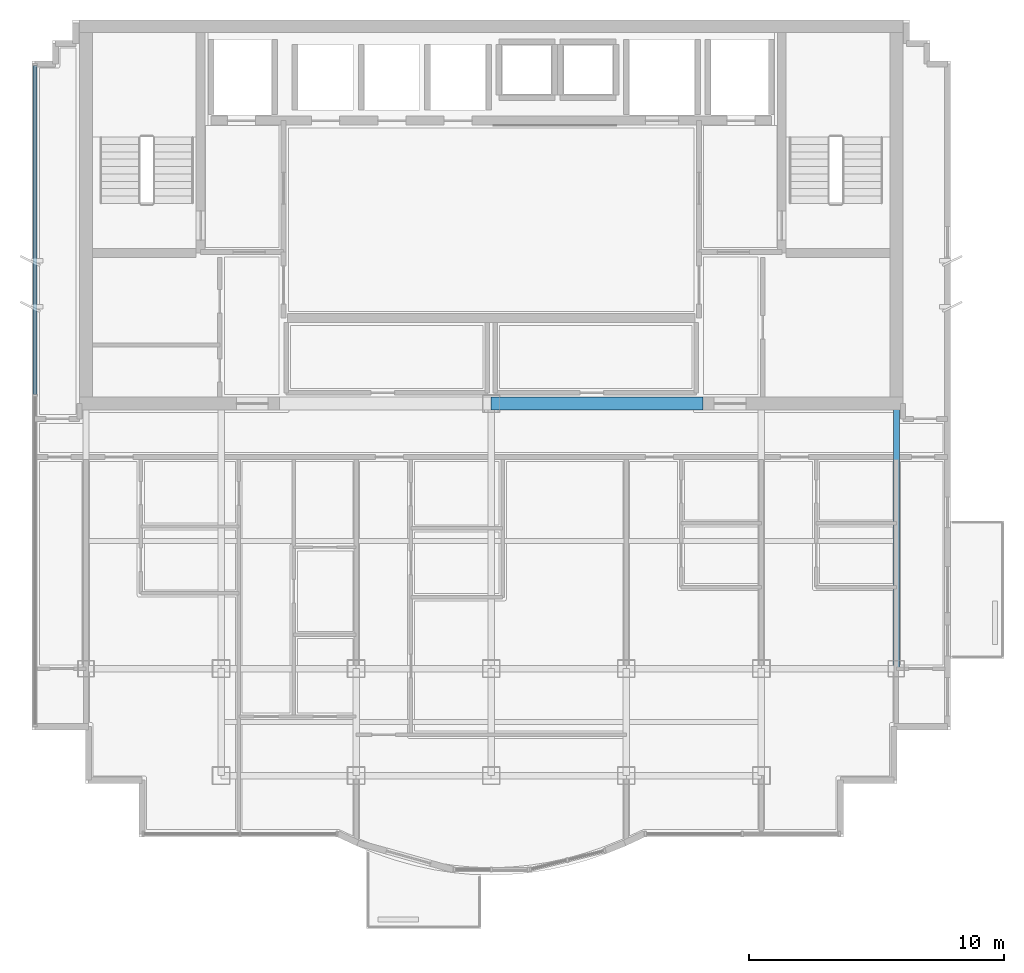
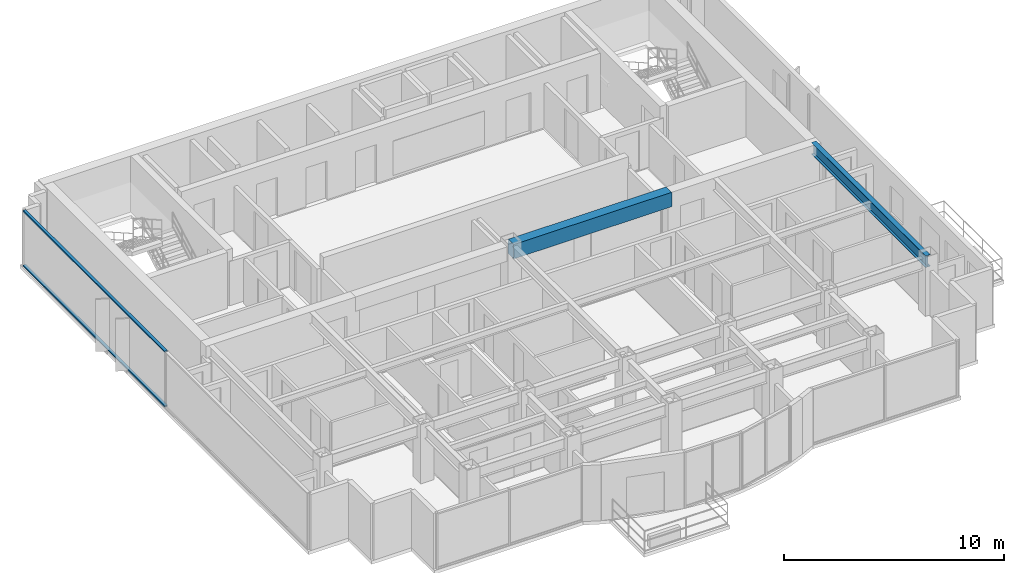
# One storey, part 2 of 9: 2 beams, 2 members, 1 element without a shape of its own.
"""IFC4 building model written with IfcOpenShell, lengths in metres."""

from ifc_helpers import new_model, si_unit, direction, frame, origin, origin_2d, place, context, subcontext, project, spatial, rectangle, i_section, extrude, source, transform, mapped, material, layer, layer_set, material_profile, profile_set, type_object, element, aggregate, save


model = new_model("IFC4")

# Units and contexts
model_context = context("Model", 3, precision=1e-05, world=origin(), true_north=direction((0.0, 1.0)))
body_context = subcontext(model_context, "Body", "Model", "MODEL_VIEW")
ifc_project = project(units=[si_unit("LENGTHUNIT", "METRE"), si_unit("AREAUNIT", "SQUARE_METRE"), si_unit("VOLUMEUNIT", "CUBIC_METRE"), si_unit("PLANEANGLEUNIT", "RADIAN"), si_unit("MASSUNIT", "GRAM", prefix="KILO")], contexts=[model_context])

# Site, building, storey
site_placement = place(None, origin())
site = spatial("IfcSite", under=ifc_project, at=site_placement, CompositionType="ELEMENT")
building_placement = place(site_placement, origin())
building = spatial("IfcBuilding", under=site, at=building_placement, Name="Qianlan Lanfeng Residences", CompositionType="ELEMENT")
storey_placement = place(building_placement, frame((0.0, 0.0, 242.89990234375)))
storey = spatial("IfcBuildingStorey", under=building, at=storey_placement, Name="L67", CompositionType="ELEMENT", Elevation=242.89990234375)

# Beams
ifc_material_1 = material(Name="Steel SN490B", Category="steel")
ifc_material_profile_1 = material_profile(ifc_material_1, i_section(OverallWidth=0.25, OverallDepth=0.64990234375, WebThickness=0.012939453125, FlangeThickness=0.02197265625, at=origin_2d()), Name="H 650x250x13x22")
ifc_profile_set_1 = profile_set([ifc_material_profile_1], Name="Steel SN490B")
beam_type_1 = type_object("IfcBeamType", Name="G-650", PredefinedType="BEAM", material=ifc_profile_set_1)
beam_1_placement = place(storey_placement, frame((42.39990234375, 14.800048828125, 2.78515625), z_axis=(0.0, 1.0, 0.0), x_axis=(-1.0, 0.0, 0.0)))
element("IfcBeam", 1, at=beam_1_placement, inside=storey, type_object=beam_type_1, Name="Structural beam G-650", PredefinedType="BEAM", context=body_context, shape_type="SweptSolid", body=[
    extrude(i_section(OverallWidth=0.25, OverallDepth=0.64990234375, WebThickness=0.012939453125, FlangeThickness=0.02197265625, at=origin_2d()), origin(), (0.0, 0.0, 1.0), 10.39990234375),
])
ifc_material_2 = material(Name="Concrete C49", Category="concrete")
ifc_material_profile_2 = material_profile(ifc_material_2, rectangle(XDim=0.5, YDim=0.800048828125, at=origin_2d()), Name="RC 500x800")
ifc_profile_set_2 = profile_set([ifc_material_profile_2], Name="Concrete C49")
beam_type_2 = type_object("IfcBeamType", Name="LB-RC750", PredefinedType="BEAM", material=ifc_profile_set_2)
beam_2_placement = place(storey_placement, frame((26.5, 25.199951171875, 2.710205078125), z_axis=(1.0, 0.0, 0.0), x_axis=(0.0, 1.0, 0.0)))
element("IfcBeam", 2, at=beam_2_placement, inside=storey, type_object=beam_type_2, Name="L67 Core Coupling Beam E", PredefinedType="BEAM", context=body_context, shape_type="SweptSolid", body=[
    extrude(rectangle(XDim=0.5, YDim=0.800048828125, at=origin_2d()), origin(), (0.0, 0.0, 1.0), 8.300048828125),
])

# Curtain wall, members
ifc_material_3 = material(Name="Anodised Bronze Aluminium 6063-T6", Category="aluminium")
ifc_layer = layer(ifc_material_3, 0.219970703125)
ifc_layer_set = layer_set([ifc_layer], Name="Anodised Bronze Aluminium 6063-T6")
curtain_wall_type = type_object("IfcCurtainWallType", Name="CW-06", PredefinedType="NOTDEFINED", material=ifc_layer_set)
curtain_wall_placement = place(storey_placement, origin())
curtain_wall = element("IfcCurtainWall", 3, at=curtain_wall_placement, inside=storey, type_object=curtain_wall_type, Name="L67 Unitised Curtain Wall CWR-L67-05 (CW-06)", PredefinedType="NOTDEFINED")
ifc_material_profile_3 = material_profile(ifc_material_3, rectangle(XDim=0.074951171875, YDim=0.14990234375, at=origin_2d()), Name="ALU TRANSOM 75x150")
ifc_profile_set_3 = profile_set([ifc_material_profile_3], Name="Anodised Bronze Aluminium 6063-T6")
member_type = type_object("IfcMemberType", Name="CWT-150", PredefinedType="USERDEFINED", material=ifc_profile_set_3)
shared_shape = source(origin(), body_context, "Body", "SweptSolid", [
    extrude(rectangle(XDim=0.074951171875, YDim=0.14990234375, at=origin_2d()), origin(), (0.0, 0.0, 1.0), 12.892578125),
])
member_1_placement = place(storey_placement, frame((8.60009765625, 38.455078125, 0.03759765625), z_axis=(0.0, -1.0, 0.0), x_axis=(0.0, 0.0, 1.0)))
member_1 = element("IfcMember", 4, at=member_1_placement, type_object=member_type, Name="CWR-L67-05 Transom 1-BOT", ObjectType="TRANSOM", PredefinedType="USERDEFINED", context=body_context, shape_type="MappedRepresentation", body=[
    mapped(shared_shape, transform((0.0, 0.0, 0.0), scale=1.0)),
])
member_2_placement = place(storey_placement, frame((8.60009765625, 38.455078125, 3.072509765625), z_axis=(0.0, -1.0, 0.0), x_axis=(0.0, 0.0, 1.0)))
member_2 = element("IfcMember", 5, at=member_2_placement, type_object=member_type, Name="CWR-L67-05 Transom 1-TOP", ObjectType="TRANSOM", PredefinedType="USERDEFINED", context=body_context, shape_type="MappedRepresentation", body=[
    mapped(shared_shape, transform((0.0, 0.0, 0.0), scale=1.0)),
])
aggregate(curtain_wall, [member_1, member_2])

save(model, "model.ifc")
